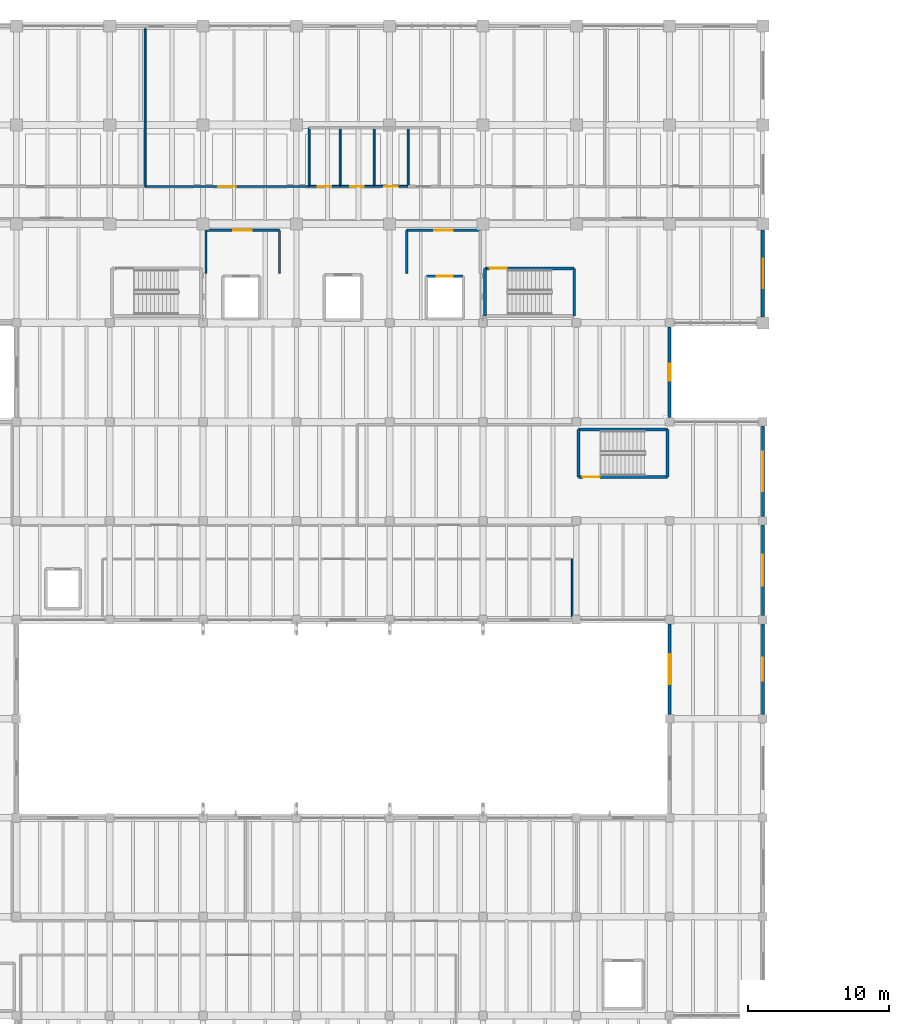
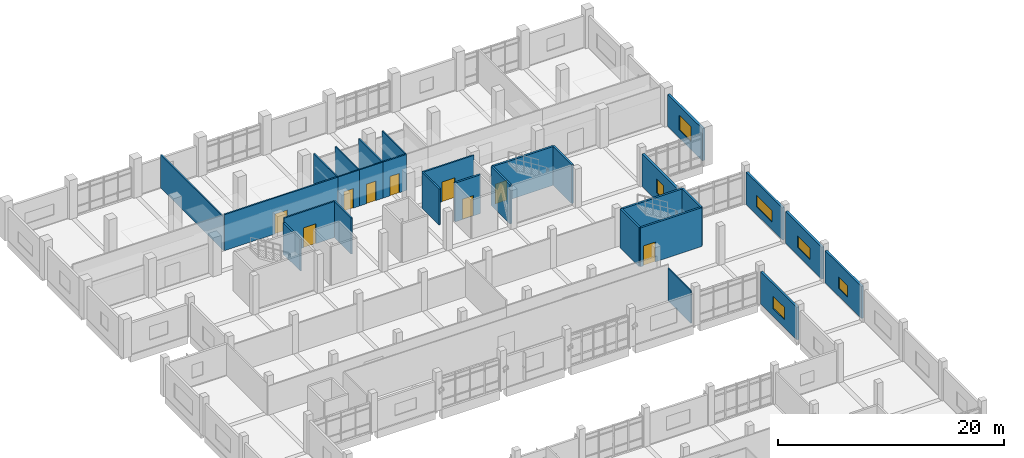
# One storey, part 49 of 68: 29 walls, 9 doors, 6 windows, 15 openings.
"""IFC4 building model written with IfcOpenShell, lengths in metres."""

import ifcopenshell
import ifcopenshell.guid

model = None  # the IFC model being written
_history = None  # IfcOwnerHistory: only IFC2X3 demands one
_inside = {}  # id of a spatial element -> (the spatial element, [elements in it])
_under = {}  # id of a project, library or spatial element -> (it, [spatial elements below it])
_declared = {}  # id of a project -> (the project, [libraries it declares])
_typed = {}  # id of a type object -> (the type object, [elements of that type])
_made_of = {}  # id of a material, layer set ... -> (it, [elements and type objects made of it])


def new_model(schema):
    """Start an empty IFC model of exactly this schema.

    Asked for "IFC4X3", IfcOpenShell would pick the latest addendum, in which some entities
    have other attributes; the version numbers below select the first issue.
    IFC2X3 requires an IfcOwnerHistory on every rooted entity: one is made here for all.
    """
    global model, _history
    if schema == "IFC4X3":
        model = ifcopenshell.file(schema_version=(4, 3, 0, 0))
    else:
        model = ifcopenshell.file(schema=schema)
    _inside.clear()
    _under.clear()
    _declared.clear()
    _typed.clear()
    _made_of.clear()
    _history = None
    if model.schema == "IFC2X3":
        org = make("IfcOrganization", Name="unknown")
        user = make(
            "IfcPersonAndOrganization",
            ThePerson=make("IfcPerson", FamilyName="unknown"),
            TheOrganization=org,
        )
        app = make(
            "IfcApplication",
            ApplicationDeveloper=org,
            Version="unknown",
            ApplicationFullName="unknown",
            ApplicationIdentifier="unknown",
        )
        _history = make(
            "IfcOwnerHistory",
            OwningUser=user,
            OwningApplication=app,
            ChangeAction="ADDED",
            CreationDate=0,
        )
    return model


def make(cls, **values):
    """One entity of the class cls with the attributes given. An attribute that is None is left unset."""
    return model.create_entity(
        cls, **{name: value for name, value in values.items() if value is not None}
    )


def rooted(cls, **values):
    """An entity with a GlobalId (a new one), such as an element, a storey or a relation."""
    return make(cls, GlobalId=ifcopenshell.guid.new(), OwnerHistory=_history, **values)


def si_unit(unit_type, name, prefix=None):
    """IfcSIUnit, for example si_unit("LENGTHUNIT", "METRE", prefix="MILLI")."""
    return make("IfcSIUnit", UnitType=unit_type, Prefix=prefix, Name=name)


def assignment(units):
    """IfcUnitAssignment: the units of a project."""
    return None if units is None else make("IfcUnitAssignment", Units=units)


def point(xyz):
    """IfcCartesianPoint."""
    return None if xyz is None else make("IfcCartesianPoint", Coordinates=xyz)


def direction(xyz):
    """IfcDirection."""
    return None if xyz is None else make("IfcDirection", DirectionRatios=xyz)


def frame(location, z_axis=None, x_axis=None):
    """IfcAxis2Placement3D, a coordinate frame: its origin and axes. An axis left out is left unset."""
    return make(
        "IfcAxis2Placement3D",
        Location=point(location),
        Axis=direction(z_axis),
        RefDirection=direction(x_axis),
    )


def frame_2d(location, x_axis=None):
    """IfcAxis2Placement2D, a coordinate frame in the plane: its origin and x axis."""
    return make(
        "IfcAxis2Placement2D", Location=point(location), RefDirection=direction(x_axis)
    )


def origin():
    """The frame at (0, 0, 0) with its axes left unset."""
    return frame((0.0, 0.0, 0.0))


def place(relative_to, where):
    """IfcLocalPlacement: puts the frame where relative to a parent placement (None: the world)."""
    return make(
        "IfcLocalPlacement", PlacementRelTo=relative_to, RelativePlacement=where
    )


def context(
    kind, dimensions, precision=None, world=None, true_north=None, identifier=None
):
    """IfcGeometricRepresentationContext, for example the 3D "Model" context."""
    return make(
        "IfcGeometricRepresentationContext",
        ContextIdentifier=identifier,
        ContextType=kind,
        CoordinateSpaceDimension=dimensions,
        Precision=precision,
        WorldCoordinateSystem=world,
        TrueNorth=true_north,
    )


def subcontext(parent, identifier, kind, view, scale=None):
    """IfcGeometricRepresentationSubContext, for example "Body" below "Model"."""
    return make(
        "IfcGeometricRepresentationSubContext",
        ContextIdentifier=identifier,
        ContextType=kind,
        ParentContext=parent,
        TargetScale=scale,
        TargetView=view,
    )


def project(units=None, contexts=None):
    """IfcProject with its units and contexts."""
    return rooted(
        "IfcProject",
        Name="project",
        RepresentationContexts=contexts,
        UnitsInContext=assignment(units),
    )


def spatial(cls, under=None, at=None, **own):
    """A site, building, storey or space (cls), placed at a placement, below another one or the project."""
    s = rooted(cls, ObjectPlacement=at, **own)
    if under is not None:
        _under.setdefault(under.id(), (under, []))[1].append(s)
    return s


def profile(cls, at=None, kind="AREA", **sizes):
    """A parametric profile (cls). Its sizes go by their IFC names, for example OverallWidth=200.0."""
    return make(cls, ProfileType=kind, Position=at, **sizes)


def rectangle(**sizes):
    """IfcRectangleProfileDef."""
    return profile("IfcRectangleProfileDef", **sizes)


def extrude(swept, where, along, depth):
    """IfcExtrudedAreaSolid: the profile swept, set in the frame where, extruded along a direction by depth."""
    return make(
        "IfcExtrudedAreaSolid",
        SweptArea=swept,
        Position=where,
        ExtrudedDirection=direction(along),
        Depth=depth,
    )


def shape(context_of_items, identifier, shape_type, items):
    """IfcShapeRepresentation: the items that make up one representation, for example the "Body"."""
    return make(
        "IfcShapeRepresentation",
        ContextOfItems=context_of_items,
        RepresentationIdentifier=identifier,
        RepresentationType=shape_type,
        Items=items,
    )


def material(Name=None, Category=None):
    """IfcMaterial."""
    return make("IfcMaterial", Name=Name, Category=Category)


def layer(
    of_material, thickness, ventilated=None, Name=None, Category=None, Priority=None
):
    """IfcMaterialLayer: one layer of a wall or slab, of a material (None: an air gap)."""
    return make(
        "IfcMaterialLayer",
        Material=of_material,
        LayerThickness=thickness,
        IsVentilated=ventilated,
        Name=Name,
        Category=Category,
        Priority=Priority,
    )


def layer_set(layers, Name=None):
    """IfcMaterialLayerSet."""
    return make("IfcMaterialLayerSet", MaterialLayers=layers, LayerSetName=Name)


def made_of(thing, what):
    """Note that an element or type object is made of a material, layer set ...; save() writes the relation."""
    if what is not None:
        _made_of.setdefault(what.id(), (what, []))[1].append(thing)
    return thing


def type_object(cls, material=None, **own):
    """A type object (cls), such as IfcWallType, which elements share."""
    return made_of(rooted(cls, **own), material)


def element(
    cls,
    number,
    at=None,
    inside=None,
    cuts=None,
    type_object=None,
    material=None,
    context=None,
    identifier="Body",
    shape_type=None,
    held_by="IfcProductDefinitionShape",
    body=None,
    shapes=None,
    **own,
):
    """One element of the class cls, such as IfcWall. Its Tag is "e" and its number.

    at: its placement. inside: the storey or other place that contains it. cuts: it is an
    opening in that element (IfcRelVoidsElement). A single representation is given by context,
    identifier, shape_type and body (its items); several are given by shapes. held_by: the class
    of the entity that holds the representations. save() writes the other relations.
    """
    e = rooted(cls, Tag="e%d" % number, ObjectPlacement=at, **own)
    if body is not None:
        shapes = [shape(context, identifier, shape_type, body)]
    if shapes is not None:
        e.Representation = make(held_by, Representations=shapes)
    if inside is not None:
        _inside.setdefault(inside.id(), (inside, []))[1].append(e)
    if cuts is not None:
        rooted(
            "IfcRelVoidsElement", RelatingBuildingElement=cuts, RelatedOpeningElement=e
        )
    if type_object is not None:
        _typed.setdefault(type_object.id(), (type_object, []))[1].append(e)
    return made_of(e, material)


def fill(opening, filler):
    """IfcRelFillsElement: the door or window that sits in an opening."""
    return rooted(
        "IfcRelFillsElement",
        RelatingOpeningElement=opening,
        RelatedBuildingElement=filler,
    )


def aggregate(whole, parts):
    """IfcRelAggregates: a whole, such as a stair, and the parts it consists of."""
    return rooted("IfcRelAggregates", RelatingObject=whole, RelatedObjects=parts)


def save(model, path):
    """Write the relations noted so far, then the file.

    IfcRelAggregates (storeys below a building ...), IfcRelContainedInSpatialStructure (elements
    in a storey), IfcRelDefinesByType, IfcRelAssociatesMaterial and IfcRelDeclares: one each for
    every whole, place, type object, material and project.
    """
    for whole, parts in _under.values():
        aggregate(whole, parts)
    for where, things in _inside.values():
        rooted(
            "IfcRelContainedInSpatialStructure",
            RelatedElements=things,
            RelatingStructure=where,
        )
    for kind, things in _typed.values():
        rooted("IfcRelDefinesByType", RelatedObjects=things, RelatingType=kind)
    for what, things in _made_of.values():
        rooted("IfcRelAssociatesMaterial", RelatedObjects=things, RelatingMaterial=what)
    for by, libraries in _declared.values():
        rooted("IfcRelDeclares", RelatingContext=by, RelatedDefinitions=libraries)
    model.write(path)


model = new_model("IFC4")

# Units and contexts
model_context = context("Model", 3, precision=1e-05, world=origin(), true_north=direction((0.0, 1.0)))
body_context = subcontext(model_context, "Body", "Model", "MODEL_VIEW")
ifc_project = project(units=[si_unit("LENGTHUNIT", "METRE"), si_unit("AREAUNIT", "SQUARE_METRE"), si_unit("VOLUMEUNIT", "CUBIC_METRE"), si_unit("PLANEANGLEUNIT", "RADIAN"), si_unit("MASSUNIT", "GRAM", prefix="KILO")], contexts=[model_context])

# Site, building, storey
site_placement = place(None, origin())
site = spatial("IfcSite", under=ifc_project, at=site_placement, CompositionType="ELEMENT")
building_placement = place(site_placement, origin())
building = spatial("IfcBuilding", under=site, at=building_placement, Name="Ciguamira Faculty of Natural Sciences", CompositionType="ELEMENT")
storey_placement = place(building_placement, frame((0.0, 0.0, 4.199951171875)))
storey = spatial("IfcBuildingStorey", under=building, at=storey_placement, Name="L01", CompositionType="ELEMENT", Elevation=4.199951171875)

# Wall, opening, window
ifc_material_1 = material(Name="Precast concrete C40/50", Category="concrete")
ifc_layer_1 = layer(ifc_material_1, 0.239990234375, Name="Precast concrete C40/50")
ifc_layer_set_1 = layer_set([ifc_layer_1], Name="Precast concrete C40/50")
wall_type_1 = type_object("IfcWallType", Name="ExtWall_EW-02_240", PredefinedType="SOLIDWALL", material=ifc_layer_set_1)
wall_1_placement = place(storey_placement, frame((116.699951171875, 94.425048828125, 0.0), z_axis=(0.0, 0.0, 1.0), x_axis=(0.0, 1.0, 0.0)))
wall_1 = element("IfcWall", 1, at=wall_1_placement, inside=storey, type_object=wall_type_1, Name="L01 exterior wall 0200", PredefinedType="SOLIDWALL", context=body_context, shape_type="SweptSolid", body=[
    extrude(rectangle(XDim=6.14990234375, YDim=0.239990234375, at=frame_2d((3.074951171875, 0.0))), origin(), (0.0, 0.0, 1.0), 3.465087890625),
])
opening_1_placement = place(wall_1_placement, frame((2.02490234375, 0.0, 0.85009765625)))
opening_1 = element("IfcOpeningElement", 2, at=opening_1_placement, cuts=wall_1, Name="Opening WT-22", PredefinedType="OPENING", context=body_context, shape_type="SweptSolid", body=[
    extrude(rectangle(XDim=2.10009765625, YDim=1.60009765625, at=frame_2d((1.050048828125, 0.800048828125))), frame((0.0, 0.1298828125, 0.0), z_axis=(0.0, -1.0, 0.0), x_axis=(1.0, 0.0, 0.0)), (0.0, 0.0, 1.0), 0.260009765625),
])
ifc_material_2 = material(Name="Hurricane laminated solar glass", Category="glass")
window_type_1 = type_object("IfcWindowType", Name="Window_WT-22_2100x1600", PartitioningType="DOUBLE_PANEL_VERTICAL", PredefinedType="WINDOW", material=ifc_material_2)
window_1_placement = place(opening_1_placement, origin())
window_1 = element("IfcWindow", 3, at=window_1_placement, inside=storey, type_object=window_type_1, Name="L01 facade window 0115", OverallHeight=1.60009765625, OverallWidth=2.10009765625, PartitioningType="SINGLE_PANEL", PredefinedType="WINDOW", context=body_context, shape_type="SweptSolid", body=[
    extrude(rectangle(XDim=2.10009765625, YDim=1.60009765625, at=frame_2d((1.050048828125, 0.800048828125))), frame((0.0, 0.030029296875, 0.0), z_axis=(0.0, -1.0, 0.0), x_axis=(1.0, 0.0, 0.0)), (0.0, 0.0, 1.0), 0.06005859375),
])
fill(opening_1, window_1)

ifc_layer_2 = layer(ifc_material_1, 0.219970703125, Name="Precast concrete C40/50")
ifc_layer_set_2 = layer_set([ifc_layer_2], Name="Precast concrete C40/50")
wall_type_2 = type_object("IfcWallType", Name="ExtWall_EW-03_220", PredefinedType="SOLIDWALL", material=ifc_layer_set_2)
wall_2_placement = place(storey_placement, frame((110.10009765625, 66.300048828125, 0.0), z_axis=(0.0, 0.0, 1.0), x_axis=(0.0, 1.0, 0.0)))
wall_2 = element("IfcWall", 4, at=wall_2_placement, inside=storey, type_object=wall_type_2, Name="L01 exterior wall 0192", PredefinedType="SOLIDWALL", context=body_context, shape_type="SweptSolid", body=[
    extrude(rectangle(XDim=6.39990234375, YDim=0.219970703125, at=frame_2d((3.199951171875, 0.0))), origin(), (0.0, 0.0, 1.0), 3.505126953125),
])
opening_2_placement = place(wall_2_placement, frame((2.14990234375, 0.0, 0.85009765625)))
opening_2 = element("IfcOpeningElement", 5, at=opening_2_placement, cuts=wall_2, Name="Opening WT-06", PredefinedType="OPENING", context=body_context, shape_type="SweptSolid", body=[
    extrude(rectangle(XDim=2.10009765625, YDim=1.35009765625, at=frame_2d((1.050048828125, 0.675048828125))), frame((0.0, 0.119873046875, 0.0), z_axis=(0.0, -1.0, 0.0), x_axis=(1.0, 0.0, 0.0)), (0.0, 0.0, 1.0), 0.239990234375),
])
window_type_2 = type_object("IfcWindowType", Name="Window_WT-06_2100x1350", PartitioningType="DOUBLE_PANEL_VERTICAL", PredefinedType="WINDOW", material=ifc_material_2)
window_2_placement = place(opening_2_placement, origin())
window_2 = element("IfcWindow", 6, at=window_2_placement, inside=storey, type_object=window_type_2, Name="L01 facade window 0107", OverallHeight=1.35009765625, OverallWidth=2.10009765625, PartitioningType="SINGLE_PANEL", PredefinedType="WINDOW", context=body_context, shape_type="SweptSolid", body=[
    extrude(rectangle(XDim=2.10009765625, YDim=1.35009765625, at=frame_2d((1.050048828125, 0.675048828125))), frame((0.0, 0.030029296875, 0.0), z_axis=(0.0, -1.0, 0.0), x_axis=(1.0, 0.0, 0.0)), (0.0, 0.0, 1.0), 0.06005859375),
])
fill(opening_2, window_2)

wall_3_placement = place(storey_placement, frame((110.10009765625, 87.300048828125, 0.0), z_axis=(0.0, 0.0, 1.0), x_axis=(0.0, 1.0, 0.0)))
wall_3 = element("IfcWall", 7, at=wall_3_placement, inside=storey, type_object=wall_type_2, Name="L01 exterior wall 0193", PredefinedType="SOLIDWALL", context=body_context, shape_type="SweptSolid", body=[
    extrude(rectangle(XDim=6.39990234375, YDim=0.219970703125, at=frame_2d((3.199951171875, 0.0))), origin(), (0.0, 0.0, 1.0), 3.505126953125),
])
opening_3_placement = place(wall_3_placement, frame((2.60009765625, 0.0, 0.85009765625)))
opening_3 = element("IfcOpeningElement", 8, at=opening_3_placement, cuts=wall_3, Name="Opening WT-08", PredefinedType="OPENING", context=body_context, shape_type="SweptSolid", body=[
    extrude(rectangle(XDim=1.199951171875, YDim=1.5, at=frame_2d((0.60009765625, 0.75))), frame((0.0, 0.119873046875, 0.0), z_axis=(0.0, -1.0, 0.0), x_axis=(1.0, 0.0, 0.0)), (0.0, 0.0, 1.0), 0.239990234375),
])
window_type_3 = type_object("IfcWindowType", Name="Window_WT-08_1200x1500", PartitioningType="DOUBLE_PANEL_VERTICAL", PredefinedType="WINDOW", material=ifc_material_2)
window_3_placement = place(opening_3_placement, origin())
window_3 = element("IfcWindow", 9, at=window_3_placement, inside=storey, type_object=window_type_3, Name="L01 facade window 0108", OverallHeight=1.5, OverallWidth=1.199951171875, PartitioningType="SINGLE_PANEL", PredefinedType="WINDOW", context=body_context, shape_type="SweptSolid", body=[
    extrude(rectangle(XDim=1.199951171875, YDim=1.5, at=frame_2d((0.60009765625, 0.75))), frame((0.0, 0.030029296875, 0.0), z_axis=(0.0, -1.0, 0.0), x_axis=(1.0, 0.0, 0.0)), (0.0, 0.0, 1.0), 0.06005859375),
])
fill(opening_3, window_3)

wall_4_placement = place(storey_placement, frame((116.699951171875, 66.300048828125, 0.0), z_axis=(0.0, 0.0, 1.0), x_axis=(0.0, 1.0, 0.0)))
wall_4 = element("IfcWall", 10, at=wall_4_placement, inside=storey, type_object=wall_type_2, Name="L01 exterior wall 0197", PredefinedType="SOLIDWALL", context=body_context, shape_type="SweptSolid", body=[
    extrude(rectangle(XDim=6.39990234375, YDim=0.219970703125, at=frame_2d((3.199951171875, 0.0))), origin(), (0.0, 0.0, 1.0), 3.465087890625),
])
opening_4_placement = place(wall_4_placement, frame((2.39990234375, 0.0, 0.85009765625)))
opening_4 = element("IfcOpeningElement", 11, at=opening_4_placement, cuts=wall_4, Name="Opening WT-16", PredefinedType="OPENING", context=body_context, shape_type="SweptSolid", body=[
    extrude(rectangle(XDim=1.60009765625, YDim=1.25, at=frame_2d((0.800048828125, 0.625))), frame((0.0, 0.119873046875, 0.0), z_axis=(0.0, -1.0, 0.0), x_axis=(1.0, 0.0, 0.0)), (0.0, 0.0, 1.0), 0.239990234375),
])
window_type_4 = type_object("IfcWindowType", Name="Window_WT-16_1600x1250", PartitioningType="DOUBLE_PANEL_VERTICAL", PredefinedType="WINDOW", material=ifc_material_2)
window_4_placement = place(opening_4_placement, origin())
window_4 = element("IfcWindow", 12, at=window_4_placement, inside=storey, type_object=window_type_4, Name="L01 facade window 0112", OverallHeight=1.25, OverallWidth=1.60009765625, PartitioningType="SINGLE_PANEL", PredefinedType="WINDOW", context=body_context, shape_type="SweptSolid", body=[
    extrude(rectangle(XDim=1.60009765625, YDim=1.25, at=frame_2d((0.800048828125, 0.625))), frame((0.0, 0.030029296875, 0.0), z_axis=(0.0, -1.0, 0.0), x_axis=(1.0, 0.0, 0.0)), (0.0, 0.0, 1.0), 0.06005859375),
])
fill(opening_4, window_4)

wall_5_placement = place(storey_placement, frame((116.699951171875, 73.300048828125, 0.0), z_axis=(0.0, 0.0, 1.0), x_axis=(0.0, 1.0, 0.0)))
wall_5 = element("IfcWall", 13, at=wall_5_placement, inside=storey, type_object=wall_type_2, Name="L01 exterior wall 0198", PredefinedType="SOLIDWALL", context=body_context, shape_type="SweptSolid", body=[
    extrude(rectangle(XDim=6.39990234375, YDim=0.219970703125, at=frame_2d((3.199951171875, 0.0))), origin(), (0.0, 0.0, 1.0), 3.465087890625),
])
opening_5_placement = place(wall_5_placement, frame((2.10009765625, 0.0, 0.85009765625)))
opening_5 = element("IfcOpeningElement", 14, at=opening_5_placement, cuts=wall_5, Name="Opening WT-18", PredefinedType="OPENING", context=body_context, shape_type="SweptSolid", body=[
    extrude(rectangle(XDim=2.199951171875, YDim=1.25, at=frame_2d((1.10009765625, 0.625))), frame((0.0, 0.119873046875, 0.0), z_axis=(0.0, -1.0, 0.0), x_axis=(1.0, 0.0, 0.0)), (0.0, 0.0, 1.0), 0.239990234375),
])
window_type_5 = type_object("IfcWindowType", Name="Window_WT-18_2200x1250", PartitioningType="DOUBLE_PANEL_VERTICAL", PredefinedType="WINDOW", material=ifc_material_2)
window_5_placement = place(opening_5_placement, origin())
window_5 = element("IfcWindow", 15, at=window_5_placement, inside=storey, type_object=window_type_5, Name="L01 facade window 0113", OverallHeight=1.25, OverallWidth=2.199951171875, PartitioningType="SINGLE_PANEL", PredefinedType="WINDOW", context=body_context, shape_type="SweptSolid", body=[
    extrude(rectangle(XDim=2.199951171875, YDim=1.25, at=frame_2d((1.10009765625, 0.625))), frame((0.0, 0.030029296875, 0.0), z_axis=(0.0, -1.0, 0.0), x_axis=(1.0, 0.0, 0.0)), (0.0, 0.0, 1.0), 0.06005859375),
])
fill(opening_5, window_5)

wall_6_placement = place(storey_placement, frame((116.699951171875, 80.300048828125, 0.0), z_axis=(0.0, 0.0, 1.0), x_axis=(0.0, 1.0, 0.0)))
wall_6 = element("IfcWall", 16, at=wall_6_placement, inside=storey, type_object=wall_type_2, Name="L01 exterior wall 0199", PredefinedType="SOLIDWALL", context=body_context, shape_type="SweptSolid", body=[
    extrude(rectangle(XDim=6.39990234375, YDim=0.219970703125, at=frame_2d((3.199951171875, 0.0))), origin(), (0.0, 0.0, 1.0), 3.465087890625),
])
opening_6_placement = place(wall_6_placement, frame((1.800048828125, 0.0, 0.85009765625)))
opening_6 = element("IfcOpeningElement", 17, at=opening_6_placement, cuts=wall_6, Name="Opening WT-20", PredefinedType="OPENING", context=body_context, shape_type="SweptSolid", body=[
    extrude(rectangle(XDim=2.800048828125, YDim=1.25, at=frame_2d((1.39990234375, 0.625))), frame((0.0, 0.119873046875, 0.0), z_axis=(0.0, -1.0, 0.0), x_axis=(1.0, 0.0, 0.0)), (0.0, 0.0, 1.0), 0.239990234375),
])
window_type_6 = type_object("IfcWindowType", Name="Window_WT-20_2800x1250", PartitioningType="DOUBLE_PANEL_VERTICAL", PredefinedType="WINDOW", material=ifc_material_2)
window_6_placement = place(opening_6_placement, origin())
window_6 = element("IfcWindow", 18, at=window_6_placement, inside=storey, type_object=window_type_6, Name="L01 facade window 0114", OverallHeight=1.25, OverallWidth=2.800048828125, PartitioningType="SINGLE_PANEL", PredefinedType="WINDOW", context=body_context, shape_type="SweptSolid", body=[
    extrude(rectangle(XDim=2.800048828125, YDim=1.25, at=frame_2d((1.39990234375, 0.625))), frame((0.0, 0.030029296875, 0.0), z_axis=(0.0, -1.0, 0.0), x_axis=(1.0, 0.0, 0.0)), (0.0, 0.0, 1.0), 0.06005859375),
])
fill(opening_6, window_6)

# Wall, opening, door
ifc_material_3 = material(Name="Concrete C40/50", Category="concrete")
ifc_layer_3 = layer(ifc_material_3, 0.199951171875, Name="Concrete C40/50")
ifc_layer_set_3 = layer_set([ifc_layer_3], Name="Concrete C40/50")
wall_type_3 = type_object("IfcWallType", Name="IntWall_CW-S20_200", PredefinedType="SHEAR", material=ifc_layer_set_3)
wall_7_placement = place(storey_placement, frame((97.050048828125, 97.860107421875, 0.0), z_axis=(0.0, 0.0, 1.0), x_axis=(1.0, 0.0, 0.0)))
wall_7 = element("IfcWall", 19, at=wall_7_placement, inside=storey, type_object=wall_type_3, Name="L01 ST-T2 core shear wall north", PredefinedType="SHEAR", context=body_context, shape_type="SweptSolid", body=[
    extrude(rectangle(XDim=6.300048828125, YDim=0.199951171875, at=frame_2d((3.14990234375, 0.0))), origin(), (0.0, 0.0, 1.0), 4.199951171875),
])
opening_7_placement = place(wall_7_placement, frame((0.320068359375, 0.0, 0.0)))
opening_7 = element("IfcOpeningElement", 20, at=opening_7_placement, cuts=wall_7, Name="Opening ID-14", PredefinedType="OPENING", context=body_context, shape_type="SweptSolid", body=[
    extrude(rectangle(XDim=1.199951171875, YDim=2.14990234375, at=frame_2d((0.60009765625, 1.074951171875))), frame((0.0, 0.10986328125, 0.0), z_axis=(0.0, -1.0, 0.0), x_axis=(1.0, 0.0, 0.0)), (0.0, 0.0, 1.0), 0.219970703125),
])
ifc_material_4 = material(Name="Protected exit stair fire door")
door_type_1 = type_object("IfcDoorType", Name="IntDoor_ID-14_1200x2150", OperationType="NOTDEFINED", PredefinedType="DOOR", material=ifc_material_4)
door_1_placement = place(opening_7_placement, frame((1.199951171875, 0.0, 0.0), z_axis=(0.0, 0.0, 1.0), x_axis=(-1.0, 0.0, 0.0)))
door_1 = element("IfcDoor", 21, at=door_1_placement, inside=storey, type_object=door_type_1, Name="L01 ST-T2 exit stair fire door", OperationType="SINGLE_SWING_RIGHT", OverallHeight=2.14990234375, OverallWidth=1.199951171875, PredefinedType="DOOR", context=body_context, shape_type="SweptSolid", body=[
    extrude(rectangle(XDim=1.199951171875, YDim=2.14990234375, at=frame_2d((0.60009765625, 1.074951171875))), frame((0.0, 0.02490234375, 0.0), z_axis=(0.0, -1.0, 0.0), x_axis=(1.0, 0.0, 0.0)), (0.0, 0.0, 1.0), 0.050048828125),
])
fill(opening_7, door_1)

# Walls
for number, where, z_axis, x_axis, name in (
    (22, (97.050048828125, 94.5, 0.0), (0.0, 0.0, 1.0), (0.0, 1.0, 0.0), "L01 ST-T2 core shear wall west"),
    (23, (103.35009765625, 94.5, 0.0), (0.0, 0.0, 1.0), (0.0, 1.0, 0.0), "L01 ST-T2 core shear wall east"),
):
    element("IfcWall", number, at=place(storey_placement, frame(where, z_axis=z_axis, x_axis=x_axis)), inside=storey, type_object=wall_type_3, Name=name, PredefinedType="SHEAR", context=body_context, shape_type="SweptSolid", body=[
        extrude(rectangle(XDim=3.360107421875, YDim=0.199951171875, at=frame_2d((1.68017578125, 0.0))), origin(), (0.0, 0.0, 1.0), 4.199951171875),
    ])

# Wall, opening, door
wall_8_placement = place(storey_placement, frame((103.64990234375, 83.10009765625, 0.0), z_axis=(0.0, 0.0, 1.0), x_axis=(1.0, 0.0, 0.0)))
wall_8 = element("IfcWall", 24, at=wall_8_placement, inside=storey, type_object=wall_type_3, Name="L01 ST-W2 core shear wall south", PredefinedType="SHEAR", context=body_context, shape_type="SweptSolid", body=[
    extrude(rectangle(XDim=6.300048828125, YDim=0.199951171875, at=frame_2d((3.14990234375, 0.0))), origin(), (0.0, 0.0, 1.0), 4.199951171875),
])
opening_8_placement = place(wall_8_placement, frame((0.320068359375, 0.0, 0.0)))
opening_8 = element("IfcOpeningElement", 25, at=opening_8_placement, cuts=wall_8, Name="Opening ID-14", PredefinedType="OPENING", context=body_context, shape_type="SweptSolid", body=[
    extrude(rectangle(XDim=1.199951171875, YDim=2.14990234375, at=frame_2d((0.60009765625, 1.074951171875))), frame((0.0, 0.10986328125, 0.0), z_axis=(0.0, -1.0, 0.0), x_axis=(1.0, 0.0, 0.0)), (0.0, 0.0, 1.0), 0.219970703125),
])
door_2_placement = place(opening_8_placement, origin())
door_2 = element("IfcDoor", 26, at=door_2_placement, inside=storey, type_object=door_type_1, Name="L01 ST-W2 exit stair fire door", OperationType="SINGLE_SWING_LEFT", OverallHeight=2.14990234375, OverallWidth=1.199951171875, PredefinedType="DOOR", context=body_context, shape_type="SweptSolid", body=[
    extrude(rectangle(XDim=1.199951171875, YDim=2.14990234375, at=frame_2d((0.60009765625, 1.074951171875))), frame((0.0, 0.02490234375, 0.0), z_axis=(0.0, -1.0, 0.0), x_axis=(1.0, 0.0, 0.0)), (0.0, 0.0, 1.0), 0.050048828125),
])
fill(opening_8, door_2)

# Walls
wall_9_placement = place(storey_placement, frame((103.64990234375, 86.4599609375, 0.0), z_axis=(0.0, 0.0, 1.0), x_axis=(1.0, 0.0, 0.0)))
element("IfcWall", 27, at=wall_9_placement, inside=storey, type_object=wall_type_3, Name="L01 ST-W2 core shear wall north", PredefinedType="SHEAR", context=body_context, shape_type="SweptSolid", body=[
    extrude(rectangle(XDim=6.300048828125, YDim=0.199951171875, at=frame_2d((3.14990234375, 0.0))), origin(), (0.0, 0.0, 1.0), 4.199951171875),
])
for number, where, z_axis, x_axis, name in (
    (28, (103.64990234375, 83.10009765625, 0.0), (0.0, 0.0, 1.0), (0.0, 1.0, 0.0), "L01 ST-W2 core shear wall west"),
    (29, (109.949951171875, 83.10009765625, 0.0), (0.0, 0.0, 1.0), (0.0, 1.0, 0.0), "L01 ST-W2 core shear wall east"),
):
    element("IfcWall", number, at=place(storey_placement, frame(where, z_axis=z_axis, x_axis=x_axis)), inside=storey, type_object=wall_type_3, Name=name, PredefinedType="SHEAR", context=body_context, shape_type="SweptSolid", body=[
        extrude(rectangle(XDim=3.35986328125, YDim=0.199951171875, at=frame_2d((1.679931640625, 0.0))), origin(), (0.0, 0.0, 1.0), 4.199951171875),
    ])

# Wall, opening, door
wall_10_placement = place(storey_placement, frame((92.89990234375, 97.300048828125, 0.0), z_axis=(0.0, 0.0, 1.0), x_axis=(1.0, 0.0, 0.0)))
wall_10 = element("IfcWall", 30, at=wall_10_placement, inside=storey, type_object=wall_type_3, Name="L01 EL-FF2 hoistway wall north", PredefinedType="SHEAR", context=body_context, shape_type="SweptSolid", body=[
    extrude(rectangle(XDim=2.60009765625, YDim=0.199951171875, at=frame_2d((1.300048828125, 0.0))), origin(), (0.0, 0.0, 1.0), 4.199951171875),
])
opening_9_placement = place(wall_10_placement, frame((0.72509765625, 0.0, 0.0)))
opening_9 = element("IfcOpeningElement", 31, at=opening_9_placement, cuts=wall_10, Name="Opening LD-03", PredefinedType="OPENING", context=body_context, shape_type="SweptSolid", body=[
    extrude(rectangle(XDim=1.14990234375, YDim=2.199951171875, at=frame_2d((0.574951171875, 1.10009765625))), frame((0.0, 0.10986328125, 0.0), z_axis=(0.0, -1.0, 0.0), x_axis=(1.0, 0.0, 0.0)), (0.0, 0.0, 1.0), 0.219970703125),
])
ifc_material_5 = material(Name="Firefighting lift sliding landing door")
door_type_2 = type_object("IfcDoorType", Name="LiftLandingDoor_LD-03_1150x2200", OperationType="SLIDING_TO_LEFT", PredefinedType="DOOR", material=ifc_material_5)
door_3_placement = place(opening_9_placement, origin())
door_3 = element("IfcDoor", 32, at=door_3_placement, inside=storey, type_object=door_type_2, Name="L01 EL-FF2 elevator landing sliding door", OperationType="SLIDING_TO_LEFT", OverallHeight=2.199951171875, OverallWidth=1.14990234375, PredefinedType="DOOR", context=body_context, shape_type="SweptSolid", body=[
    extrude(rectangle(XDim=1.14990234375, YDim=2.199951171875, at=frame_2d((0.574951171875, 1.10009765625))), frame((0.0, 0.02490234375, 0.0), z_axis=(0.0, -1.0, 0.0), x_axis=(1.0, 0.0, 0.0)), (0.0, 0.0, 1.0), 0.050048828125),
])
fill(opening_9, door_3)

# Wall
ifc_material_6 = material(Name="Fire-rated gypsum partition")
ifc_layer_4 = layer(ifc_material_6, 0.10009765625, Name="Fire-rated gypsum partition")
ifc_layer_set_4 = layer_set([ifc_layer_4], Name="Fire-rated gypsum partition")
wall_type_4 = type_object("IfcWallType", Name="IntWall_IW-A10_100", PredefinedType="PARTITIONING", material=ifc_layer_set_4)
wall_11_placement = place(storey_placement, frame((103.199951171875, 73.199951171875, 0.0), z_axis=(0.0, 0.0, 1.0), x_axis=(0.0, 1.0, 0.0)))
element("IfcWall", 33, at=wall_11_placement, inside=storey, type_object=wall_type_4, Name="L01 L01 Court Overlook Write-Up Studio partition east", PredefinedType="PARTITIONING", context=body_context, shape_type="SweptSolid", body=[
    extrude(rectangle(XDim=4.10009765625, YDim=0.10009765625, at=frame_2d((2.050048828125, 0.0))), origin(), (0.0, 0.0, 1.0), 3.505126953125),
])

# Wall, opening, door
ifc_material_7 = material(Name="Fire-rated blockwork wall", Category="masonry")
ifc_layer_5 = layer(ifc_material_7, 0.159912109375, Name="Fire-rated blockwork wall")
ifc_layer_set_5 = layer_set([ifc_layer_5], Name="Fire-rated blockwork wall")
wall_type_5 = type_object("IfcWallType", Name="IntWall_IW-F16_160", PredefinedType="SOLIDWALL", material=ifc_layer_set_5)
wall_12_placement = place(storey_placement, frame((77.300048828125, 100.550048828125, 0.0), z_axis=(0.0, 0.0, 1.0), x_axis=(1.0, 0.0, 0.0)))
wall_12 = element("IfcWall", 34, at=wall_12_placement, inside=storey, type_object=wall_type_5, Name="L01 Firefighting Lift Lobby 1 partition north", PredefinedType="SOLIDWALL", context=body_context, shape_type="SweptSolid", body=[
    extrude(rectangle(XDim=5.199951171875, YDim=0.159912109375, at=frame_2d((2.60009765625, 0.0))), origin(), (0.0, 0.0, 1.0), 3.900146484375),
])
opening_10_placement = place(wall_12_placement, frame((1.949951171875, 0.0, 0.0)))
opening_10 = element("IfcOpeningElement", 35, at=opening_10_placement, cuts=wall_12, Name="Opening ID-15", PredefinedType="OPENING", context=body_context, shape_type="SweptSolid", body=[
    extrude(rectangle(XDim=1.300048828125, YDim=2.14990234375, at=frame_2d((0.64990234375, 1.074951171875))), frame((0.0, 0.08984375, 0.0), z_axis=(0.0, -1.0, 0.0), x_axis=(1.0, 0.0, 0.0)), (0.0, 0.0, 1.0), 0.179931640625),
])
ifc_material_8 = material(Name="Firefighting lift lobby fire door")
door_type_3 = type_object("IfcDoorType", Name="IntDoor_ID-15_1300x2150", OperationType="NOTDEFINED", PredefinedType="DOOR", material=ifc_material_8)
door_4_placement = place(opening_10_placement, frame((1.300048828125, 0.0, 0.0), z_axis=(0.0, 0.0, 1.0), x_axis=(-1.0, 0.0, 0.0)))
door_4 = element("IfcDoor", 36, at=door_4_placement, inside=storey, type_object=door_type_3, Name="L01 Firefighting Lift Lobby 1 door", OperationType="SINGLE_SWING_RIGHT", OverallHeight=2.14990234375, OverallWidth=1.300048828125, PredefinedType="DOOR", context=body_context, shape_type="SweptSolid", body=[
    extrude(rectangle(XDim=1.300048828125, YDim=2.14990234375, at=frame_2d((0.64990234375, 1.074951171875))), frame((0.0, 0.02490234375, 0.0), z_axis=(0.0, -1.0, 0.0), x_axis=(1.0, 0.0, 0.0)), (0.0, 0.0, 1.0), 0.050048828125),
])
fill(opening_10, door_4)

# Walls
wall_13_placement = place(storey_placement, frame((77.300048828125, 97.5, 0.0), z_axis=(0.0, 0.0, 1.0), x_axis=(0.0, 1.0, 0.0)))
element("IfcWall", 37, at=wall_13_placement, inside=storey, type_object=wall_type_5, Name="L01 Firefighting Lift Lobby 1 partition west", PredefinedType="SOLIDWALL", context=body_context, shape_type="SweptSolid", body=[
    extrude(rectangle(XDim=3.050048828125, YDim=0.159912109375, at=frame_2d((1.52490234375, 0.0))), origin(), (0.0, 0.0, 1.0), 3.405029296875),
])
wall_14_placement = place(storey_placement, frame((82.5, 97.5, 0.0), z_axis=(0.0, 0.0, 1.0), x_axis=(0.0, 1.0, 0.0)))
element("IfcWall", 38, at=wall_14_placement, inside=storey, type_object=wall_type_5, Name="L01 Firefighting Lift Lobby 1 partition east", PredefinedType="SOLIDWALL", context=body_context, shape_type="SweptSolid", body=[
    extrude(rectangle(XDim=3.050048828125, YDim=0.159912109375, at=frame_2d((1.52490234375, 0.0))), origin(), (0.0, 0.0, 1.0), 3.900146484375),
])

# Wall, opening, door
wall_15_placement = place(storey_placement, frame((91.5, 100.550048828125, 0.0), z_axis=(0.0, 0.0, 1.0), x_axis=(1.0, 0.0, 0.0)))
wall_15 = element("IfcWall", 39, at=wall_15_placement, inside=storey, type_object=wall_type_5, Name="L01 Firefighting Lift Lobby 2 partition north", PredefinedType="SOLIDWALL", context=body_context, shape_type="SweptSolid", body=[
    extrude(rectangle(XDim=5.199951171875, YDim=0.159912109375, at=frame_2d((2.60009765625, 0.0))), origin(), (0.0, 0.0, 1.0), 3.900146484375),
])
opening_11_placement = place(wall_15_placement, frame((1.949951171875, 0.0, 0.0)))
opening_11 = element("IfcOpeningElement", 40, at=opening_11_placement, cuts=wall_15, Name="Opening ID-15", PredefinedType="OPENING", context=body_context, shape_type="SweptSolid", body=[
    extrude(rectangle(XDim=1.300048828125, YDim=2.14990234375, at=frame_2d((0.64990234375, 1.074951171875))), frame((0.0, 0.08984375, 0.0), z_axis=(0.0, -1.0, 0.0), x_axis=(1.0, 0.0, 0.0)), (0.0, 0.0, 1.0), 0.179931640625),
])
door_5_placement = place(opening_11_placement, frame((1.300048828125, 0.0, 0.0), z_axis=(0.0, 0.0, 1.0), x_axis=(-1.0, 0.0, 0.0)))
door_5 = element("IfcDoor", 41, at=door_5_placement, inside=storey, type_object=door_type_3, Name="L01 Firefighting Lift Lobby 2 door", OperationType="SINGLE_SWING_LEFT", OverallHeight=2.14990234375, OverallWidth=1.300048828125, PredefinedType="DOOR", context=body_context, shape_type="SweptSolid", body=[
    extrude(rectangle(XDim=1.300048828125, YDim=2.14990234375, at=frame_2d((0.64990234375, 1.074951171875))), frame((0.0, 0.02490234375, 0.0), z_axis=(0.0, -1.0, 0.0), x_axis=(1.0, 0.0, 0.0)), (0.0, 0.0, 1.0), 0.050048828125),
])
fill(opening_11, door_5)

# Wall
wall_16_placement = place(storey_placement, frame((91.5, 97.5, 0.0), z_axis=(0.0, 0.0, 1.0), x_axis=(0.0, 1.0, 0.0)))
element("IfcWall", 42, at=wall_16_placement, inside=storey, type_object=wall_type_5, Name="L01 Firefighting Lift Lobby 2 partition west", PredefinedType="SOLIDWALL", context=body_context, shape_type="SweptSolid", body=[
    extrude(rectangle(XDim=3.050048828125, YDim=0.159912109375, at=frame_2d((1.52490234375, 0.0))), origin(), (0.0, 0.0, 1.0), 3.900146484375),
])

# Wall, opening, door
ifc_material_9 = material(Name="Acoustic laboratory corridor partition")
ifc_layer_6 = layer(ifc_material_9, 0.14990234375, Name="Acoustic laboratory corridor partition")
ifc_layer_set_6 = layer_set([ifc_layer_6], Name="Acoustic laboratory corridor partition")
wall_type_6 = type_object("IfcWallType", Name="IntWall_IW-G15_150", PredefinedType="PARTITIONING", material=ifc_layer_set_6)
wall_17_placement = place(storey_placement, frame((73.0, 103.64990234375, 0.0), z_axis=(0.0, 0.0, 1.0), x_axis=(1.0, 0.0, 0.0)))
wall_17 = element("IfcWall", 43, at=wall_17_placement, inside=storey, type_object=wall_type_6, Name="L01 Laser Spectroscopy Laboratory partition south", PredefinedType="PARTITIONING", context=body_context, shape_type="SweptSolid", body=[
    extrude(rectangle(XDim=11.60009765625, YDim=0.14990234375, at=frame_2d((5.800048828125, 0.0))), origin(), (0.0, 0.0, 1.0), 3.900146484375),
])
opening_12_placement = place(wall_17_placement, frame((5.175048828125, 0.0, 0.0)))
opening_12 = element("IfcOpeningElement", 44, at=opening_12_placement, cuts=wall_17, Name="Opening ID-06", PredefinedType="OPENING", context=body_context, shape_type="SweptSolid", body=[
    extrude(rectangle(XDim=1.25, YDim=2.14990234375, at=frame_2d((0.625, 1.074951171875))), frame((0.0, 0.0849609375, 0.0), z_axis=(0.0, -1.0, 0.0), x_axis=(1.0, 0.0, 0.0)), (0.0, 0.0, 1.0), 0.169921875),
])
ifc_material_10 = material(Name="Instrument room leaf-and-half door")
door_type_4 = type_object("IfcDoorType", Name="IntDoor_ID-06_1250x2150", OperationType="NOTDEFINED", PredefinedType="DOOR", material=ifc_material_10)
door_6_placement = place(opening_12_placement, origin())
door_6 = element("IfcDoor", 45, at=door_6_placement, inside=storey, type_object=door_type_4, Name="L01 Laser Spectroscopy Laboratory door", OperationType="SINGLE_SWING_LEFT", OverallHeight=2.14990234375, OverallWidth=1.25, PredefinedType="DOOR", context=body_context, shape_type="SweptSolid", body=[
    extrude(rectangle(XDim=1.25, YDim=2.14990234375, at=frame_2d((0.625, 1.074951171875))), frame((0.0, 0.02490234375, 0.0), z_axis=(0.0, -1.0, 0.0), x_axis=(1.0, 0.0, 0.0)), (0.0, 0.0, 1.0), 0.050048828125),
])
fill(opening_12, door_6)

ifc_material_11 = material(Name="Moisture-resistant service chase wall")
ifc_layer_7 = layer(ifc_material_11, 0.139892578125, Name="Moisture-resistant service chase wall")
ifc_layer_set_7 = layer_set([ifc_layer_7], Name="Moisture-resistant service chase wall")
wall_type_7 = type_object("IfcWallType", Name="IntWall_IW-P14_140", PredefinedType="PLUMBINGWALL", material=ifc_layer_set_7)
wall_18_placement = place(storey_placement, frame((84.60009765625, 103.64990234375, 0.0), z_axis=(0.0, 0.0, 1.0), x_axis=(1.0, 0.0, 0.0)))
wall_18 = element("IfcWall", 46, at=wall_18_placement, inside=storey, type_object=wall_type_7, Name="L01 Accessible WC partition south", PredefinedType="PLUMBINGWALL", context=body_context, shape_type="SweptSolid", body=[
    extrude(rectangle(XDim=2.199951171875, YDim=0.139892578125, at=frame_2d((1.10009765625, 0.0))), origin(), (0.0, 0.0, 1.0), 3.900146484375),
])
opening_13_placement = place(wall_18_placement, frame((0.625, 0.0, 0.0)))
opening_13 = element("IfcOpeningElement", 47, at=opening_13_placement, cuts=wall_18, Name="Opening ID-02", PredefinedType="OPENING", context=body_context, shape_type="SweptSolid", body=[
    extrude(rectangle(XDim=0.949951171875, YDim=2.10009765625, at=frame_2d((0.47509765625, 1.050048828125))), frame((0.0, 0.079833984375, 0.0), z_axis=(0.0, -1.0, 0.0), x_axis=(1.0, 0.0, 0.0)), (0.0, 0.0, 1.0), 0.159912109375),
])
ifc_material_12 = material(Name="Accessible WC outward-clear door")
door_type_5 = type_object("IfcDoorType", Name="IntDoor_ID-02_950x2100", OperationType="NOTDEFINED", PredefinedType="DOOR", material=ifc_material_12)
door_7_placement = place(opening_13_placement, origin())
door_7 = element("IfcDoor", 48, at=door_7_placement, inside=storey, type_object=door_type_5, Name="L01 Accessible WC door", OperationType="SINGLE_SWING_RIGHT", OverallHeight=2.10009765625, OverallWidth=0.949951171875, PredefinedType="DOOR", context=body_context, shape_type="SweptSolid", body=[
    extrude(rectangle(XDim=0.949951171875, YDim=2.10009765625, at=frame_2d((0.47509765625, 1.050048828125))), frame((0.0, 0.02490234375, 0.0), z_axis=(0.0, -1.0, 0.0), x_axis=(1.0, 0.0, 0.0)), (0.0, 0.0, 1.0), 0.050048828125),
])
fill(opening_13, door_7)

# Walls
for number, where, z_axis, x_axis, name in (
    (49, (84.60009765625, 103.64990234375, 0.0), (0.0, 0.0, 1.0), (0.0, 1.0, 0.0), "L01 Accessible WC partition west"),
    (50, (86.800048828125, 103.64990234375, 0.0), (0.0, 0.0, 1.0), (0.0, 1.0, 0.0), "L01 Accessible WC partition east"),
):
    element("IfcWall", number, at=place(storey_placement, frame(where, z_axis=z_axis, x_axis=x_axis)), inside=storey, type_object=wall_type_7, Name=name, PredefinedType="PLUMBINGWALL", context=body_context, shape_type="SweptSolid", body=[
        extrude(rectangle(XDim=4.150146484375, YDim=0.139892578125, at=frame_2d((2.0751953125, 0.0))), origin(), (0.0, 0.0, 1.0), 3.900146484375),
    ])

# Wall, opening, door
wall_19_placement = place(storey_placement, frame((86.800048828125, 103.64990234375, 0.0), z_axis=(0.0, 0.0, 1.0), x_axis=(1.0, 0.0, 0.0)))
wall_19 = element("IfcWall", 51, at=wall_19_placement, inside=storey, type_object=wall_type_7, Name="L01 Public Restroom Female partition south", PredefinedType="PLUMBINGWALL", context=body_context, shape_type="SweptSolid", body=[
    extrude(rectangle(XDim=2.39990234375, YDim=0.139892578125, at=frame_2d((1.199951171875, 0.0))), origin(), (0.0, 0.0, 1.0), 3.900146484375),
])
opening_14_placement = place(wall_19_placement, frame((0.72509765625, 0.0, 0.0)))
opening_14 = element("IfcOpeningElement", 52, at=opening_14_placement, cuts=wall_19, Name="Opening ID-02", PredefinedType="OPENING", context=body_context, shape_type="SweptSolid", body=[
    extrude(rectangle(XDim=0.949951171875, YDim=2.10009765625, at=frame_2d((0.47509765625, 1.050048828125))), frame((0.0, 0.079833984375, 0.0), z_axis=(0.0, -1.0, 0.0), x_axis=(1.0, 0.0, 0.0)), (0.0, 0.0, 1.0), 0.159912109375),
])
door_8_placement = place(opening_14_placement, origin())
door_8 = element("IfcDoor", 53, at=door_8_placement, inside=storey, type_object=door_type_5, Name="L01 Public Restroom Female door", OperationType="SINGLE_SWING_LEFT", OverallHeight=2.10009765625, OverallWidth=0.949951171875, PredefinedType="DOOR", context=body_context, shape_type="SweptSolid", body=[
    extrude(rectangle(XDim=0.949951171875, YDim=2.10009765625, at=frame_2d((0.47509765625, 1.050048828125))), frame((0.0, 0.02490234375, 0.0), z_axis=(0.0, -1.0, 0.0), x_axis=(1.0, 0.0, 0.0)), (0.0, 0.0, 1.0), 0.050048828125),
])
fill(opening_14, door_8)

# Wall
wall_20_placement = place(storey_placement, frame((89.199951171875, 103.64990234375, 0.0), z_axis=(0.0, 0.0, 1.0), x_axis=(0.0, 1.0, 0.0)))
element("IfcWall", 54, at=wall_20_placement, inside=storey, type_object=wall_type_7, Name="L01 Public Restroom Female partition east", PredefinedType="PLUMBINGWALL", context=body_context, shape_type="SweptSolid", body=[
    extrude(rectangle(XDim=4.150146484375, YDim=0.139892578125, at=frame_2d((2.0751953125, 0.0))), origin(), (0.0, 0.0, 1.0), 3.900146484375),
])

# Wall, opening, door
wall_21_placement = place(storey_placement, frame((89.199951171875, 103.64990234375, 0.0), z_axis=(0.0, 0.0, 1.0), x_axis=(1.0, 0.0, 0.0)))
wall_21 = element("IfcWall", 55, at=wall_21_placement, inside=storey, type_object=wall_type_7, Name="L01 Public Restroom Male partition south", PredefinedType="PLUMBINGWALL", context=body_context, shape_type="SweptSolid", body=[
    extrude(rectangle(XDim=2.400146484375, YDim=0.139892578125, at=frame_2d((1.2001953125, 0.0))), origin(), (0.0, 0.0, 1.0), 3.900146484375),
])
opening_15_placement = place(wall_21_placement, frame((0.72509765625, 0.0, 0.0)))
opening_15 = element("IfcOpeningElement", 56, at=opening_15_placement, cuts=wall_21, Name="Opening ID-02", PredefinedType="OPENING", context=body_context, shape_type="SweptSolid", body=[
    extrude(rectangle(XDim=0.949951171875, YDim=2.10009765625, at=frame_2d((0.47509765625, 1.050048828125))), frame((0.0, 0.079833984375, 0.0), z_axis=(0.0, -1.0, 0.0), x_axis=(1.0, 0.0, 0.0)), (0.0, 0.0, 1.0), 0.159912109375),
])
door_9_placement = place(opening_15_placement, origin())
door_9 = element("IfcDoor", 57, at=door_9_placement, inside=storey, type_object=door_type_5, Name="L01 Public Restroom Male door", OperationType="SINGLE_SWING_RIGHT", OverallHeight=2.10009765625, OverallWidth=0.949951171875, PredefinedType="DOOR", context=body_context, shape_type="SweptSolid", body=[
    extrude(rectangle(XDim=0.949951171875, YDim=2.10009765625, at=frame_2d((0.47509765625, 1.050048828125))), frame((0.0, 0.02490234375, 0.0), z_axis=(0.0, -1.0, 0.0), x_axis=(1.0, 0.0, 0.0)), (0.0, 0.0, 1.0), 0.050048828125),
])
fill(opening_15, door_9)

# Walls
wall_22_placement = place(storey_placement, frame((91.60009765625, 103.64990234375, 0.0), z_axis=(0.0, 0.0, 1.0), x_axis=(0.0, 1.0, 0.0)))
element("IfcWall", 58, at=wall_22_placement, inside=storey, type_object=wall_type_7, Name="L01 Public Restroom Male partition east", PredefinedType="PLUMBINGWALL", context=body_context, shape_type="SweptSolid", body=[
    extrude(rectangle(XDim=4.150146484375, YDim=0.139892578125, at=frame_2d((2.0751953125, 0.0))), origin(), (0.0, 0.0, 1.0), 3.900146484375),
])
wall_23_placement = place(storey_placement, frame((73.0, 103.64990234375, 0.0), z_axis=(0.0, 0.0, 1.0), x_axis=(0.0, 1.0, 0.0)))
element("IfcWall", 59, at=wall_23_placement, inside=storey, type_object=wall_type_7, Name="L01 Physical Chemistry Research Laboratory partition east", PredefinedType="PLUMBINGWALL", context=body_context, shape_type="SweptSolid", body=[
    extrude(rectangle(XDim=11.150146484375, YDim=0.139892578125, at=frame_2d((5.5751953125, 0.0))), origin(), (0.0, 0.0, 1.0), 3.58935546875),
])

save(model, "model.ifc")
